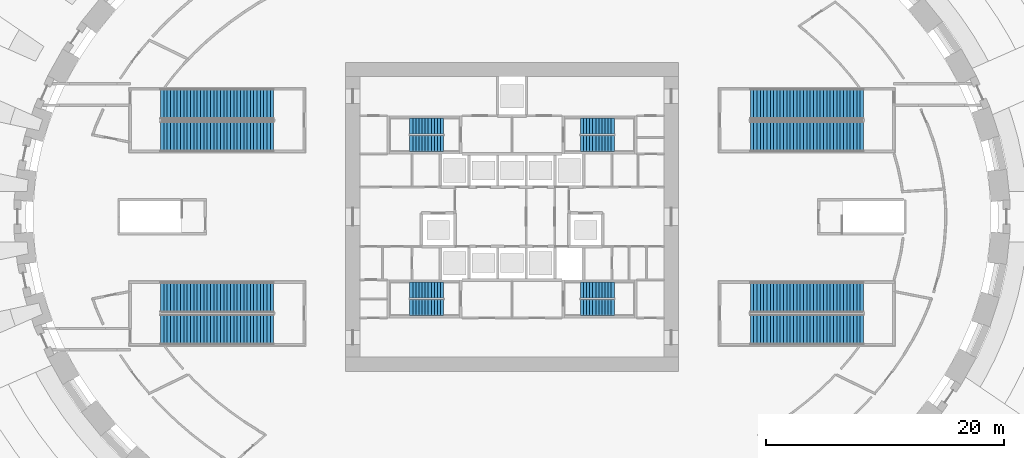
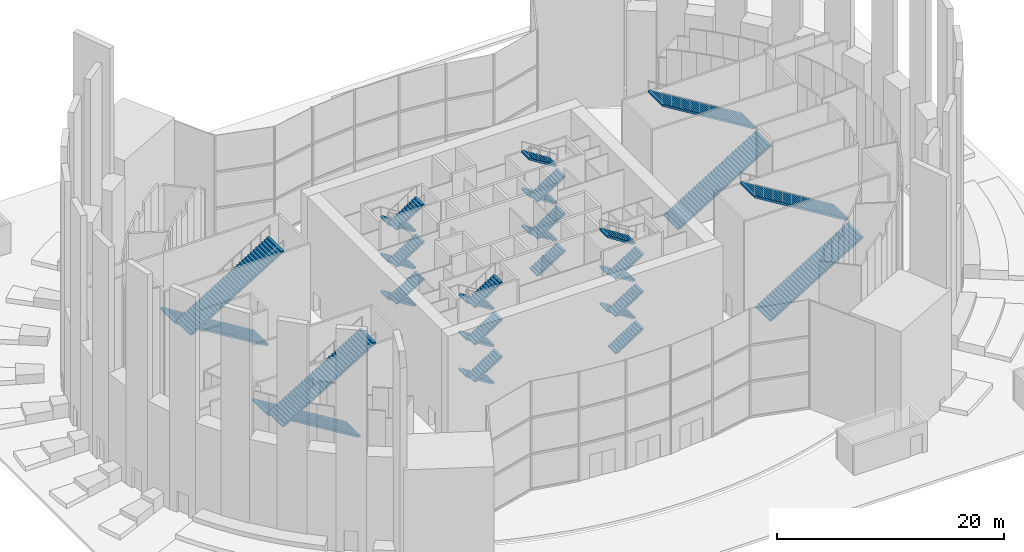
# One storey, part 16 of 25: 32 stair flights, 8 elements without a shape of their own.
"""IFC4 building model written with IfcOpenShell, lengths in metres."""

from ifc_helpers import new_model, si_unit, direction, frame, origin, place, context, subcontext, project, spatial, polyline, outline, extrude, source, transform, mapped, material, type_object, element, aggregate, save


model = new_model("IFC4")

# Units and contexts
model_context = context("Model", 3, precision=1e-05, world=origin(), true_north=direction((0.0, 1.0)))
body_context = subcontext(model_context, "Body", "Model", "MODEL_VIEW")
ifc_project = project(units=[si_unit("LENGTHUNIT", "METRE"), si_unit("AREAUNIT", "SQUARE_METRE"), si_unit("VOLUMEUNIT", "CUBIC_METRE"), si_unit("PLANEANGLEUNIT", "RADIAN"), si_unit("MASSUNIT", "GRAM", prefix="KILO")], contexts=[model_context])

# Site, building, storey
site_placement = place(None, origin())
site = spatial("IfcSite", under=ifc_project, at=site_placement, CompositionType="ELEMENT")
building_placement = place(site_placement, origin())
building = spatial("IfcBuilding", under=site, at=building_placement, Name="Embergate Tower", CompositionType="ELEMENT")
storey_placement = place(building_placement, origin())
storey = spatial("IfcBuildingStorey", under=building, at=storey_placement, Name="L00", CompositionType="ELEMENT", Elevation=0.0)

# Stair, stair flights
ifc_material_1 = material(Name="Exit stair")
stair_type_1 = type_object("IfcStairType", Name="Exit stair", PredefinedType="HALF_TURN_STAIR", material=ifc_material_1)
stair_1_placement = place(storey_placement, origin())
stair_1 = element("IfcStair", 1, at=stair_1_placement, inside=storey, type_object=stair_type_1, Name="L00 Exit stair 1", PredefinedType="HALF_TURN_STAIR")
ifc_material_2 = material(Name="Concrete C40", Category="concrete")
stair_flight_type_1 = type_object("IfcStairFlightType", Name="Stair flight reinforced concrete", PredefinedType="STRAIGHT", material=ifc_material_2)
shared_shape_1 = source(origin(), body_context, "Body", "SweptSolid", [
    extrude(outline(polyline([(0.0, 0.0), (0.0, 0.166748046875), (0.260009765625, 0.166748046875), (0.260009765625, 0.333251953125), (0.52001953125, 0.333251953125), (0.52001953125, 0.5), (0.780029296875, 0.5), (0.780029296875, 0.666748046875), (1.0400390625, 0.666748046875), (1.0400390625, 0.833251953125), (1.300048828125, 0.833251953125), (1.300048828125, 1.0), (1.56005859375, 1.0), (1.56005859375, 1.166748046875), (1.820068359375, 1.166748046875), (1.820068359375, 1.333251953125), (2.080078125, 1.333251953125), (2.080078125, 1.5), (2.340087890625, 1.5), (2.340087890625, 1.666748046875), (2.60009765625, 1.666748046875), (2.60009765625, 1.833251953125), (2.860107421875, 1.833251953125), (2.860107421875, 2.0), (2.860107421875, 1.6552734375), (0.27783203125, 0.0), (0.0, 0.0)])), frame((0.0, 0.675048828125, 0.0), z_axis=(0.0, -1.0, 0.0), x_axis=(1.0, 0.0, 0.0)), (0.0, 0.0, 1.0), 1.35009765625),
])
stair_flight_1_placement = place(storey_placement, frame((-5.75, 7.625, 0.0), z_axis=(0.0, 0.0, 1.0), x_axis=(-1.0, 0.0, 0.0)))
stair_flight_1 = element("IfcStairFlight", 2, at=stair_flight_1_placement, type_object=stair_flight_type_1, Name="ST1 flight 1", NumberOfRisers=12, NumberOfTreads=11, PredefinedType="STRAIGHT", RiserHeight=0.166666667, TreadLength=0.26, context=body_context, shape_type="MappedRepresentation", body=[
    mapped(shared_shape_1, transform((0.0, 0.0, 0.0))),
])
stair_flight_2_placement = place(storey_placement, frame((-8.610107421875, 6.175048828125, 2.0), z_axis=(0.0, 0.0, 1.0), x_axis=(1.0, 0.0, 0.0)))
stair_flight_2 = element("IfcStairFlight", 3, at=stair_flight_2_placement, type_object=stair_flight_type_1, Name="ST1 flight 2", NumberOfRisers=12, NumberOfTreads=11, PredefinedType="STRAIGHT", RiserHeight=0.166666667, TreadLength=0.26, context=body_context, shape_type="MappedRepresentation", body=[
    mapped(shared_shape_1, transform((0.0, 0.0, 0.0))),
])
stair_flight_3_placement = place(storey_placement, frame((-5.75, 7.625, 4.0), z_axis=(0.0, 0.0, 1.0), x_axis=(-1.0, 0.0, 0.0)))
stair_flight_3 = element("IfcStairFlight", 4, at=stair_flight_3_placement, type_object=stair_flight_type_1, Name="ST1 flight 3", NumberOfRisers=12, NumberOfTreads=11, PredefinedType="STRAIGHT", RiserHeight=0.166666667, TreadLength=0.26, context=body_context, shape_type="MappedRepresentation", body=[
    mapped(shared_shape_1, transform((0.0, 0.0, 0.0))),
])
stair_flight_4_placement = place(storey_placement, frame((-8.610107421875, 6.175048828125, 6.0), z_axis=(0.0, 0.0, 1.0), x_axis=(1.0, 0.0, 0.0)))
stair_flight_4 = element("IfcStairFlight", 5, at=stair_flight_4_placement, type_object=stair_flight_type_1, Name="ST1 flight 4", NumberOfRisers=12, NumberOfTreads=11, PredefinedType="STRAIGHT", RiserHeight=0.166666667, TreadLength=0.26, context=body_context, shape_type="MappedRepresentation", body=[
    mapped(shared_shape_1, transform((0.0, 0.0, 0.0))),
])
stair_flight_5_placement = place(storey_placement, frame((-5.75, 7.625, 8.0), z_axis=(0.0, 0.0, 1.0), x_axis=(-1.0, 0.0, 0.0)))
stair_flight_5 = element("IfcStairFlight", 6, at=stair_flight_5_placement, type_object=stair_flight_type_1, Name="ST1 flight 5", NumberOfRisers=12, NumberOfTreads=11, PredefinedType="STRAIGHT", RiserHeight=0.166666667, TreadLength=0.26, context=body_context, shape_type="MappedRepresentation", body=[
    mapped(shared_shape_1, transform((0.0, 0.0, 0.0))),
])
stair_flight_6_placement = place(storey_placement, frame((-8.610107421875, 6.175048828125, 10.0), z_axis=(0.0, 0.0, 1.0), x_axis=(1.0, 0.0, 0.0)))
stair_flight_6 = element("IfcStairFlight", 7, at=stair_flight_6_placement, type_object=stair_flight_type_1, Name="ST1 flight 6", NumberOfRisers=12, NumberOfTreads=11, PredefinedType="STRAIGHT", RiserHeight=0.166666667, TreadLength=0.26, context=body_context, shape_type="MappedRepresentation", body=[
    mapped(shared_shape_1, transform((0.0, 0.0, 0.0))),
])
aggregate(stair_1, [stair_flight_1, stair_flight_2, stair_flight_3, stair_flight_4, stair_flight_5, stair_flight_6])

stair_2_placement = place(storey_placement, origin())
stair_2 = element("IfcStair", 8, at=stair_2_placement, inside=storey, type_object=stair_type_1, Name="L00 Exit stair 2", PredefinedType="HALF_TURN_STAIR")
stair_flight_7_placement = place(storey_placement, frame((5.75, 6.175048828125, 0.0), z_axis=(0.0, 0.0, 1.0), x_axis=(1.0, 0.0, 0.0)))
stair_flight_7 = element("IfcStairFlight", 9, at=stair_flight_7_placement, type_object=stair_flight_type_1, Name="ST2 flight 1", NumberOfRisers=12, NumberOfTreads=11, PredefinedType="STRAIGHT", RiserHeight=0.166666667, TreadLength=0.26, context=body_context, shape_type="MappedRepresentation", body=[
    mapped(shared_shape_1, transform((0.0, 0.0, 0.0))),
])
stair_flight_8_placement = place(storey_placement, frame((8.610107421875, 7.625, 2.0), z_axis=(0.0, 0.0, 1.0), x_axis=(-1.0, 0.0, 0.0)))
stair_flight_8 = element("IfcStairFlight", 10, at=stair_flight_8_placement, type_object=stair_flight_type_1, Name="ST2 flight 2", NumberOfRisers=12, NumberOfTreads=11, PredefinedType="STRAIGHT", RiserHeight=0.166666667, TreadLength=0.26, context=body_context, shape_type="MappedRepresentation", body=[
    mapped(shared_shape_1, transform((0.0, 0.0, 0.0))),
])
stair_flight_9_placement = place(storey_placement, frame((5.75, 6.175048828125, 4.0), z_axis=(0.0, 0.0, 1.0), x_axis=(1.0, 0.0, 0.0)))
stair_flight_9 = element("IfcStairFlight", 11, at=stair_flight_9_placement, type_object=stair_flight_type_1, Name="ST2 flight 3", NumberOfRisers=12, NumberOfTreads=11, PredefinedType="STRAIGHT", RiserHeight=0.166666667, TreadLength=0.26, context=body_context, shape_type="MappedRepresentation", body=[
    mapped(shared_shape_1, transform((0.0, 0.0, 0.0))),
])
stair_flight_10_placement = place(storey_placement, frame((8.610107421875, 7.625, 6.0), z_axis=(0.0, 0.0, 1.0), x_axis=(-1.0, 0.0, 0.0)))
stair_flight_10 = element("IfcStairFlight", 12, at=stair_flight_10_placement, type_object=stair_flight_type_1, Name="ST2 flight 4", NumberOfRisers=12, NumberOfTreads=11, PredefinedType="STRAIGHT", RiserHeight=0.166666667, TreadLength=0.26, context=body_context, shape_type="MappedRepresentation", body=[
    mapped(shared_shape_1, transform((0.0, 0.0, 0.0))),
])
stair_flight_11_placement = place(storey_placement, frame((5.75, 6.175048828125, 8.0), z_axis=(0.0, 0.0, 1.0), x_axis=(1.0, 0.0, 0.0)))
stair_flight_11 = element("IfcStairFlight", 13, at=stair_flight_11_placement, type_object=stair_flight_type_1, Name="ST2 flight 5", NumberOfRisers=12, NumberOfTreads=11, PredefinedType="STRAIGHT", RiserHeight=0.166666667, TreadLength=0.26, context=body_context, shape_type="MappedRepresentation", body=[
    mapped(shared_shape_1, transform((0.0, 0.0, 0.0))),
])
stair_flight_12_placement = place(storey_placement, frame((8.610107421875, 7.625, 10.0), z_axis=(0.0, 0.0, 1.0), x_axis=(-1.0, 0.0, 0.0)))
stair_flight_12 = element("IfcStairFlight", 14, at=stair_flight_12_placement, type_object=stair_flight_type_1, Name="ST2 flight 6", NumberOfRisers=12, NumberOfTreads=11, PredefinedType="STRAIGHT", RiserHeight=0.166666667, TreadLength=0.26, context=body_context, shape_type="MappedRepresentation", body=[
    mapped(shared_shape_1, transform((0.0, 0.0, 0.0))),
])
aggregate(stair_2, [stair_flight_7, stair_flight_8, stair_flight_9, stair_flight_10, stair_flight_11, stair_flight_12])

stair_3_placement = place(storey_placement, origin())
stair_3 = element("IfcStair", 15, at=stair_3_placement, inside=storey, type_object=stair_type_1, Name="L00 Exit stair 3", PredefinedType="HALF_TURN_STAIR")
stair_flight_13_placement = place(storey_placement, frame((-5.75, -6.175048828125, 0.0), z_axis=(0.0, 0.0, 1.0), x_axis=(-1.0, 0.0, 0.0)))
stair_flight_13 = element("IfcStairFlight", 16, at=stair_flight_13_placement, type_object=stair_flight_type_1, Name="ST3 flight 1", NumberOfRisers=12, NumberOfTreads=11, PredefinedType="STRAIGHT", RiserHeight=0.166666667, TreadLength=0.26, context=body_context, shape_type="MappedRepresentation", body=[
    mapped(shared_shape_1, transform((0.0, 0.0, 0.0))),
])
stair_flight_14_placement = place(storey_placement, frame((-8.610107421875, -7.625, 2.0), z_axis=(0.0, 0.0, 1.0), x_axis=(1.0, 0.0, 0.0)))
stair_flight_14 = element("IfcStairFlight", 17, at=stair_flight_14_placement, type_object=stair_flight_type_1, Name="ST3 flight 2", NumberOfRisers=12, NumberOfTreads=11, PredefinedType="STRAIGHT", RiserHeight=0.166666667, TreadLength=0.26, context=body_context, shape_type="MappedRepresentation", body=[
    mapped(shared_shape_1, transform((0.0, 0.0, 0.0))),
])
stair_flight_15_placement = place(storey_placement, frame((-5.75, -6.175048828125, 4.0), z_axis=(0.0, 0.0, 1.0), x_axis=(-1.0, 0.0, 0.0)))
stair_flight_15 = element("IfcStairFlight", 18, at=stair_flight_15_placement, type_object=stair_flight_type_1, Name="ST3 flight 3", NumberOfRisers=12, NumberOfTreads=11, PredefinedType="STRAIGHT", RiserHeight=0.166666667, TreadLength=0.26, context=body_context, shape_type="MappedRepresentation", body=[
    mapped(shared_shape_1, transform((0.0, 0.0, 0.0))),
])
stair_flight_16_placement = place(storey_placement, frame((-8.610107421875, -7.625, 6.0), z_axis=(0.0, 0.0, 1.0), x_axis=(1.0, 0.0, 0.0)))
stair_flight_16 = element("IfcStairFlight", 19, at=stair_flight_16_placement, type_object=stair_flight_type_1, Name="ST3 flight 4", NumberOfRisers=12, NumberOfTreads=11, PredefinedType="STRAIGHT", RiserHeight=0.166666667, TreadLength=0.26, context=body_context, shape_type="MappedRepresentation", body=[
    mapped(shared_shape_1, transform((0.0, 0.0, 0.0))),
])
stair_flight_17_placement = place(storey_placement, frame((-5.75, -6.175048828125, 8.0), z_axis=(0.0, 0.0, 1.0), x_axis=(-1.0, 0.0, 0.0)))
stair_flight_17 = element("IfcStairFlight", 20, at=stair_flight_17_placement, type_object=stair_flight_type_1, Name="ST3 flight 5", NumberOfRisers=12, NumberOfTreads=11, PredefinedType="STRAIGHT", RiserHeight=0.166666667, TreadLength=0.26, context=body_context, shape_type="MappedRepresentation", body=[
    mapped(shared_shape_1, transform((0.0, 0.0, 0.0))),
])
stair_flight_18_placement = place(storey_placement, frame((-8.610107421875, -7.625, 10.0), z_axis=(0.0, 0.0, 1.0), x_axis=(1.0, 0.0, 0.0)))
stair_flight_18 = element("IfcStairFlight", 21, at=stair_flight_18_placement, type_object=stair_flight_type_1, Name="ST3 flight 6", NumberOfRisers=12, NumberOfTreads=11, PredefinedType="STRAIGHT", RiserHeight=0.166666667, TreadLength=0.26, context=body_context, shape_type="MappedRepresentation", body=[
    mapped(shared_shape_1, transform((0.0, 0.0, 0.0))),
])
aggregate(stair_3, [stair_flight_13, stair_flight_14, stair_flight_15, stair_flight_16, stair_flight_17, stair_flight_18])

stair_4_placement = place(storey_placement, origin())
stair_4 = element("IfcStair", 22, at=stair_4_placement, inside=storey, type_object=stair_type_1, Name="L00 Exit stair 4", PredefinedType="HALF_TURN_STAIR")
stair_flight_19_placement = place(storey_placement, frame((5.75, -7.625, 0.0), z_axis=(0.0, 0.0, 1.0), x_axis=(1.0, 0.0, 0.0)))
stair_flight_19 = element("IfcStairFlight", 23, at=stair_flight_19_placement, type_object=stair_flight_type_1, Name="ST4 flight 1", NumberOfRisers=12, NumberOfTreads=11, PredefinedType="STRAIGHT", RiserHeight=0.166666667, TreadLength=0.26, context=body_context, shape_type="MappedRepresentation", body=[
    mapped(shared_shape_1, transform((0.0, 0.0, 0.0))),
])
stair_flight_20_placement = place(storey_placement, frame((8.610107421875, -6.175048828125, 2.0), z_axis=(0.0, 0.0, 1.0), x_axis=(-1.0, 0.0, 0.0)))
stair_flight_20 = element("IfcStairFlight", 24, at=stair_flight_20_placement, type_object=stair_flight_type_1, Name="ST4 flight 2", NumberOfRisers=12, NumberOfTreads=11, PredefinedType="STRAIGHT", RiserHeight=0.166666667, TreadLength=0.26, context=body_context, shape_type="MappedRepresentation", body=[
    mapped(shared_shape_1, transform((0.0, 0.0, 0.0))),
])
stair_flight_21_placement = place(storey_placement, frame((5.75, -7.625, 4.0), z_axis=(0.0, 0.0, 1.0), x_axis=(1.0, 0.0, 0.0)))
stair_flight_21 = element("IfcStairFlight", 25, at=stair_flight_21_placement, type_object=stair_flight_type_1, Name="ST4 flight 3", NumberOfRisers=12, NumberOfTreads=11, PredefinedType="STRAIGHT", RiserHeight=0.166666667, TreadLength=0.26, context=body_context, shape_type="MappedRepresentation", body=[
    mapped(shared_shape_1, transform((0.0, 0.0, 0.0))),
])
stair_flight_22_placement = place(storey_placement, frame((8.610107421875, -6.175048828125, 6.0), z_axis=(0.0, 0.0, 1.0), x_axis=(-1.0, 0.0, 0.0)))
stair_flight_22 = element("IfcStairFlight", 26, at=stair_flight_22_placement, type_object=stair_flight_type_1, Name="ST4 flight 4", NumberOfRisers=12, NumberOfTreads=11, PredefinedType="STRAIGHT", RiserHeight=0.166666667, TreadLength=0.26, context=body_context, shape_type="MappedRepresentation", body=[
    mapped(shared_shape_1, transform((0.0, 0.0, 0.0))),
])
stair_flight_23_placement = place(storey_placement, frame((5.75, -7.625, 8.0), z_axis=(0.0, 0.0, 1.0), x_axis=(1.0, 0.0, 0.0)))
stair_flight_23 = element("IfcStairFlight", 27, at=stair_flight_23_placement, type_object=stair_flight_type_1, Name="ST4 flight 5", NumberOfRisers=12, NumberOfTreads=11, PredefinedType="STRAIGHT", RiserHeight=0.166666667, TreadLength=0.26, context=body_context, shape_type="MappedRepresentation", body=[
    mapped(shared_shape_1, transform((0.0, 0.0, 0.0))),
])
stair_flight_24_placement = place(storey_placement, frame((8.610107421875, -6.175048828125, 10.0), z_axis=(0.0, 0.0, 1.0), x_axis=(-1.0, 0.0, 0.0)))
stair_flight_24 = element("IfcStairFlight", 28, at=stair_flight_24_placement, type_object=stair_flight_type_1, Name="ST4 flight 6", NumberOfRisers=12, NumberOfTreads=11, PredefinedType="STRAIGHT", RiserHeight=0.166666667, TreadLength=0.26, context=body_context, shape_type="MappedRepresentation", body=[
    mapped(shared_shape_1, transform((0.0, 0.0, 0.0))),
])
aggregate(stair_4, [stair_flight_19, stair_flight_20, stair_flight_21, stair_flight_22, stair_flight_23, stair_flight_24])

stair_type_2 = type_object("IfcStairType", Name="Podium exit stair RC", PredefinedType="HALF_TURN_STAIR", material=ifc_material_2)
stair_5_placement = place(storey_placement, origin())
stair_5 = element("IfcStair", 29, at=stair_5_placement, inside=storey, type_object=stair_type_2, Name="L00 Podium exit stair 1", PredefinedType="HALF_TURN_STAIR")
stair_flight_type_2 = type_object("IfcStairFlightType", Name="Podium exit stair flight RC", PredefinedType="STRAIGHT", material=ifc_material_2)
shared_shape_2 = source(origin(), body_context, "Body", "SweptSolid", [
    extrude(outline(polyline([(0.0, 0.0), (0.0, 0.17138671875), (0.280029296875, 0.17138671875), (0.280029296875, 0.3427734375), (0.56005859375, 0.3427734375), (0.56005859375, 0.514404296875), (0.840087890625, 0.514404296875), (0.840087890625, 0.685791015625), (1.1201171875, 0.685791015625), (1.1201171875, 0.857177734375), (1.39990234375, 0.857177734375), (1.39990234375, 1.028564453125), (1.679931640625, 1.028564453125), (1.679931640625, 1.199951171875), (1.9599609375, 1.199951171875), (1.9599609375, 1.371337890625), (2.239990234375, 1.371337890625), (2.239990234375, 1.54296875), (2.52001953125, 1.54296875), (2.52001953125, 1.71435546875), (2.800048828125, 1.71435546875), (2.800048828125, 1.8857421875), (3.080078125, 1.8857421875), (3.080078125, 2.05712890625), (3.360107421875, 2.05712890625), (3.360107421875, 2.228515625), (3.639892578125, 2.228515625), (3.639892578125, 2.39990234375), (3.919921875, 2.39990234375), (3.919921875, 2.571533203125), (4.199951171875, 2.571533203125), (4.199951171875, 2.742919921875), (4.47998046875, 2.742919921875), (4.47998046875, 2.914306640625), (4.760009765625, 2.914306640625), (4.760009765625, 3.085693359375), (5.0400390625, 3.085693359375), (5.0400390625, 3.257080078125), (5.320068359375, 3.257080078125), (5.320068359375, 3.428466796875), (5.60009765625, 3.428466796875), (5.60009765625, 3.60009765625), (5.8798828125, 3.60009765625), (5.8798828125, 3.771484375), (6.159912109375, 3.771484375), (6.159912109375, 3.94287109375), (6.43994140625, 3.94287109375), (6.43994140625, 4.1142578125), (6.719970703125, 4.1142578125), (6.719970703125, 4.28564453125), (7.0, 4.28564453125), (7.0, 4.45703125), (7.280029296875, 4.45703125), (7.280029296875, 4.628662109375), (7.56005859375, 4.628662109375), (7.56005859375, 4.800048828125), (7.840087890625, 4.800048828125), (7.840087890625, 4.971435546875), (8.1201171875, 4.971435546875), (8.1201171875, 5.142822265625), (8.39990234375, 5.142822265625), (8.39990234375, 5.314208984375), (8.679931640625, 5.314208984375), (8.679931640625, 5.485595703125), (8.9599609375, 5.485595703125), (8.9599609375, 5.6572265625), (9.239990234375, 5.6572265625), (9.239990234375, 5.82861328125), (9.52001953125, 5.82861328125), (9.52001953125, 6.0), (9.52001953125, 5.65283203125), (0.287109375, 0.0), (0.0, 0.0)])), frame((0.0, 1.27490234375, 0.0), z_axis=(0.0, -1.0, 0.0), x_axis=(1.0, 0.0, 0.0)), (0.0, 0.0, 1.0), 2.550048828125),
])
stair_flight_25_placement = place(storey_placement, frame((20.050048828125, 6.77490234375, 0.0), z_axis=(0.0, 0.0, 1.0), x_axis=(1.0, 0.0, 0.0)))
stair_flight_25 = element("IfcStairFlight", 30, at=stair_flight_25_placement, type_object=stair_flight_type_2, Name="P1 flight 1", NumberOfRisers=35, NumberOfTreads=34, PredefinedType="STRAIGHT", RiserHeight=0.171428571, TreadLength=0.28, context=body_context, shape_type="MappedRepresentation", body=[
    mapped(shared_shape_2, transform((0.0, 0.0, 0.0))),
])
stair_flight_26_placement = place(storey_placement, frame((29.570068359375, 9.47509765625, 6.0), z_axis=(0.0, 0.0, 1.0), x_axis=(-1.0, 0.0, 0.0)))
stair_flight_26 = element("IfcStairFlight", 31, at=stair_flight_26_placement, type_object=stair_flight_type_2, Name="P1 flight 2", NumberOfRisers=35, NumberOfTreads=34, PredefinedType="STRAIGHT", RiserHeight=0.171428571, TreadLength=0.28, context=body_context, shape_type="MappedRepresentation", body=[
    mapped(shared_shape_2, transform((0.0, 0.0, 0.0))),
])
aggregate(stair_5, [stair_flight_25, stair_flight_26])

stair_6_placement = place(storey_placement, origin())
stair_6 = element("IfcStair", 32, at=stair_6_placement, inside=storey, type_object=stair_type_2, Name="L00 Podium exit stair 2", PredefinedType="HALF_TURN_STAIR")
stair_flight_27_placement = place(storey_placement, frame((20.050048828125, -9.47509765625, 0.0), z_axis=(0.0, 0.0, 1.0), x_axis=(1.0, 0.0, 0.0)))
stair_flight_27 = element("IfcStairFlight", 33, at=stair_flight_27_placement, type_object=stair_flight_type_2, Name="P2 flight 1", NumberOfRisers=35, NumberOfTreads=34, PredefinedType="STRAIGHT", RiserHeight=0.171428571, TreadLength=0.28, context=body_context, shape_type="MappedRepresentation", body=[
    mapped(shared_shape_2, transform((0.0, 0.0, 0.0))),
])
stair_flight_28_placement = place(storey_placement, frame((29.570068359375, -6.77490234375, 6.0), z_axis=(0.0, 0.0, 1.0), x_axis=(-1.0, 0.0, 0.0)))
stair_flight_28 = element("IfcStairFlight", 34, at=stair_flight_28_placement, type_object=stair_flight_type_2, Name="P2 flight 2", NumberOfRisers=35, NumberOfTreads=34, PredefinedType="STRAIGHT", RiserHeight=0.171428571, TreadLength=0.28, context=body_context, shape_type="MappedRepresentation", body=[
    mapped(shared_shape_2, transform((0.0, 0.0, 0.0))),
])
aggregate(stair_6, [stair_flight_27, stair_flight_28])

stair_7_placement = place(storey_placement, origin())
stair_7 = element("IfcStair", 35, at=stair_7_placement, inside=storey, type_object=stair_type_2, Name="L00 Podium exit stair 3", PredefinedType="HALF_TURN_STAIR")
stair_flight_29_placement = place(storey_placement, frame((-20.050048828125, 9.47509765625, 0.0), z_axis=(0.0, 0.0, 1.0), x_axis=(-1.0, 0.0, 0.0)))
stair_flight_29 = element("IfcStairFlight", 36, at=stair_flight_29_placement, type_object=stair_flight_type_2, Name="P3 flight 1", NumberOfRisers=35, NumberOfTreads=34, PredefinedType="STRAIGHT", RiserHeight=0.171428571, TreadLength=0.28, context=body_context, shape_type="MappedRepresentation", body=[
    mapped(shared_shape_2, transform((0.0, 0.0, 0.0))),
])
stair_flight_30_placement = place(storey_placement, frame((-29.570068359375, 6.77490234375, 6.0), z_axis=(0.0, 0.0, 1.0), x_axis=(1.0, 0.0, 0.0)))
stair_flight_30 = element("IfcStairFlight", 37, at=stair_flight_30_placement, type_object=stair_flight_type_2, Name="P3 flight 2", NumberOfRisers=35, NumberOfTreads=34, PredefinedType="STRAIGHT", RiserHeight=0.171428571, TreadLength=0.28, context=body_context, shape_type="MappedRepresentation", body=[
    mapped(shared_shape_2, transform((0.0, 0.0, 0.0))),
])
aggregate(stair_7, [stair_flight_29, stair_flight_30])

stair_8_placement = place(storey_placement, origin())
stair_8 = element("IfcStair", 38, at=stair_8_placement, inside=storey, type_object=stair_type_2, Name="L00 Podium exit stair 4", PredefinedType="HALF_TURN_STAIR")
stair_flight_31_placement = place(storey_placement, frame((-20.050048828125, -6.77490234375, 0.0), z_axis=(0.0, 0.0, 1.0), x_axis=(-1.0, 0.0, 0.0)))
stair_flight_31 = element("IfcStairFlight", 39, at=stair_flight_31_placement, type_object=stair_flight_type_2, Name="P4 flight 1", NumberOfRisers=35, NumberOfTreads=34, PredefinedType="STRAIGHT", RiserHeight=0.171428571, TreadLength=0.28, context=body_context, shape_type="MappedRepresentation", body=[
    mapped(shared_shape_2, transform((0.0, 0.0, 0.0))),
])
stair_flight_32_placement = place(storey_placement, frame((-29.570068359375, -9.47509765625, 6.0), z_axis=(0.0, 0.0, 1.0), x_axis=(1.0, 0.0, 0.0)))
stair_flight_32 = element("IfcStairFlight", 40, at=stair_flight_32_placement, type_object=stair_flight_type_2, Name="P4 flight 2", NumberOfRisers=35, NumberOfTreads=34, PredefinedType="STRAIGHT", RiserHeight=0.171428571, TreadLength=0.28, context=body_context, shape_type="MappedRepresentation", body=[
    mapped(shared_shape_2, transform((0.0, 0.0, 0.0))),
])
aggregate(stair_8, [stair_flight_31, stair_flight_32])

save(model, "model.ifc")
